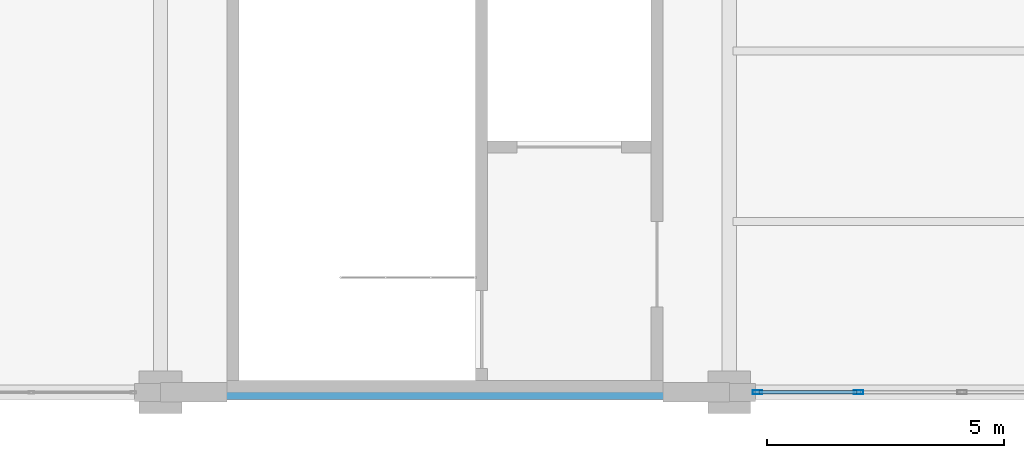
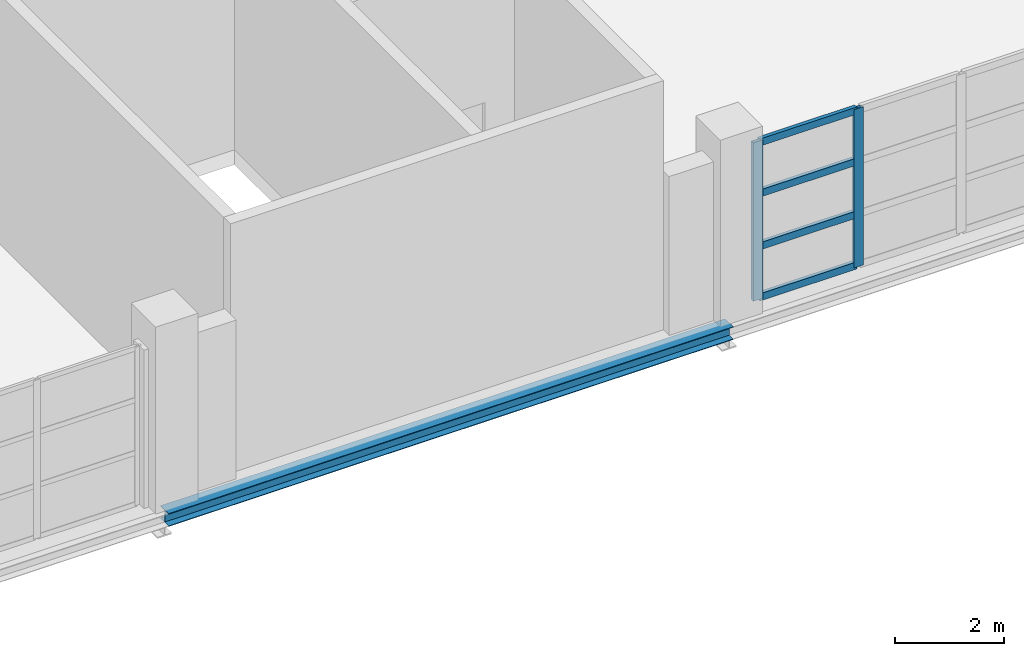
# One storey, part 79 of 158: 6 members, 1 beam, 1 element without a shape of its own.
"""IFC4 building model written with IfcOpenShell, lengths in metres."""

import ifcopenshell
import ifcopenshell.guid

model = None  # the IFC model being written
_history = None  # IfcOwnerHistory: only IFC2X3 demands one
_inside = {}  # id of a spatial element -> (the spatial element, [elements in it])
_under = {}  # id of a project, library or spatial element -> (it, [spatial elements below it])
_declared = {}  # id of a project -> (the project, [libraries it declares])
_typed = {}  # id of a type object -> (the type object, [elements of that type])
_made_of = {}  # id of a material, layer set ... -> (it, [elements and type objects made of it])


def new_model(schema):
    """Start an empty IFC model of exactly this schema.

    Asked for "IFC4X3", IfcOpenShell would pick the latest addendum, in which some entities
    have other attributes; the version numbers below select the first issue.
    IFC2X3 requires an IfcOwnerHistory on every rooted entity: one is made here for all.
    """
    global model, _history
    if schema == "IFC4X3":
        model = ifcopenshell.file(schema_version=(4, 3, 0, 0))
    else:
        model = ifcopenshell.file(schema=schema)
    _inside.clear()
    _under.clear()
    _declared.clear()
    _typed.clear()
    _made_of.clear()
    _history = None
    if model.schema == "IFC2X3":
        org = make("IfcOrganization", Name="unknown")
        user = make(
            "IfcPersonAndOrganization",
            ThePerson=make("IfcPerson", FamilyName="unknown"),
            TheOrganization=org,
        )
        app = make(
            "IfcApplication",
            ApplicationDeveloper=org,
            Version="unknown",
            ApplicationFullName="unknown",
            ApplicationIdentifier="unknown",
        )
        _history = make(
            "IfcOwnerHistory",
            OwningUser=user,
            OwningApplication=app,
            ChangeAction="ADDED",
            CreationDate=0,
        )
    return model


def make(cls, **values):
    """One entity of the class cls with the attributes given. An attribute that is None is left unset."""
    return model.create_entity(
        cls, **{name: value for name, value in values.items() if value is not None}
    )


def rooted(cls, **values):
    """An entity with a GlobalId (a new one), such as an element, a storey or a relation."""
    return make(cls, GlobalId=ifcopenshell.guid.new(), OwnerHistory=_history, **values)


def si_unit(unit_type, name, prefix=None):
    """IfcSIUnit, for example si_unit("LENGTHUNIT", "METRE", prefix="MILLI")."""
    return make("IfcSIUnit", UnitType=unit_type, Prefix=prefix, Name=name)


def assignment(units):
    """IfcUnitAssignment: the units of a project."""
    return None if units is None else make("IfcUnitAssignment", Units=units)


def point(xyz):
    """IfcCartesianPoint."""
    return None if xyz is None else make("IfcCartesianPoint", Coordinates=xyz)


def direction(xyz):
    """IfcDirection."""
    return None if xyz is None else make("IfcDirection", DirectionRatios=xyz)


def frame(location, z_axis=None, x_axis=None):
    """IfcAxis2Placement3D, a coordinate frame: its origin and axes. An axis left out is left unset."""
    return make(
        "IfcAxis2Placement3D",
        Location=point(location),
        Axis=direction(z_axis),
        RefDirection=direction(x_axis),
    )


def frame_2d(location, x_axis=None):
    """IfcAxis2Placement2D, a coordinate frame in the plane: its origin and x axis."""
    return make(
        "IfcAxis2Placement2D", Location=point(location), RefDirection=direction(x_axis)
    )


def origin():
    """The frame at (0, 0, 0) with its axes left unset."""
    return frame((0.0, 0.0, 0.0))


def origin_2d():
    """The frame at (0, 0) in the plane with its x axis left unset."""
    return frame_2d((0.0, 0.0))


def place(relative_to, where):
    """IfcLocalPlacement: puts the frame where relative to a parent placement (None: the world)."""
    return make(
        "IfcLocalPlacement", PlacementRelTo=relative_to, RelativePlacement=where
    )


def context(
    kind, dimensions, precision=None, world=None, true_north=None, identifier=None
):
    """IfcGeometricRepresentationContext, for example the 3D "Model" context."""
    return make(
        "IfcGeometricRepresentationContext",
        ContextIdentifier=identifier,
        ContextType=kind,
        CoordinateSpaceDimension=dimensions,
        Precision=precision,
        WorldCoordinateSystem=world,
        TrueNorth=true_north,
    )


def subcontext(parent, identifier, kind, view, scale=None):
    """IfcGeometricRepresentationSubContext, for example "Body" below "Model"."""
    return make(
        "IfcGeometricRepresentationSubContext",
        ContextIdentifier=identifier,
        ContextType=kind,
        ParentContext=parent,
        TargetScale=scale,
        TargetView=view,
    )


def project(units=None, contexts=None):
    """IfcProject with its units and contexts."""
    return rooted(
        "IfcProject",
        Name="project",
        RepresentationContexts=contexts,
        UnitsInContext=assignment(units),
    )


def spatial(cls, under=None, at=None, **own):
    """A site, building, storey or space (cls), placed at a placement, below another one or the project."""
    s = rooted(cls, ObjectPlacement=at, **own)
    if under is not None:
        _under.setdefault(under.id(), (under, []))[1].append(s)
    return s


def profile(cls, at=None, kind="AREA", **sizes):
    """A parametric profile (cls). Its sizes go by their IFC names, for example OverallWidth=200.0."""
    return make(cls, ProfileType=kind, Position=at, **sizes)


def hollow_rectangle(**sizes):
    """IfcRectangleHollowProfileDef."""
    return profile("IfcRectangleHollowProfileDef", **sizes)


def i_section(**sizes):
    """IfcIShapeProfileDef."""
    return profile("IfcIShapeProfileDef", **sizes)


def extrude(swept, where, along, depth):
    """IfcExtrudedAreaSolid: the profile swept, set in the frame where, extruded along a direction by depth."""
    return make(
        "IfcExtrudedAreaSolid",
        SweptArea=swept,
        Position=where,
        ExtrudedDirection=direction(along),
        Depth=depth,
    )


def shape(context_of_items, identifier, shape_type, items):
    """IfcShapeRepresentation: the items that make up one representation, for example the "Body"."""
    return make(
        "IfcShapeRepresentation",
        ContextOfItems=context_of_items,
        RepresentationIdentifier=identifier,
        RepresentationType=shape_type,
        Items=items,
    )


def material(Name=None, Category=None):
    """IfcMaterial."""
    return make("IfcMaterial", Name=Name, Category=Category)


def layer(
    of_material, thickness, ventilated=None, Name=None, Category=None, Priority=None
):
    """IfcMaterialLayer: one layer of a wall or slab, of a material (None: an air gap)."""
    return make(
        "IfcMaterialLayer",
        Material=of_material,
        LayerThickness=thickness,
        IsVentilated=ventilated,
        Name=Name,
        Category=Category,
        Priority=Priority,
    )


def layer_set(layers, Name=None):
    """IfcMaterialLayerSet."""
    return make("IfcMaterialLayerSet", MaterialLayers=layers, LayerSetName=Name)


def material_profile(
    of_material, cross_section, Name=None, Category=None, Priority=None
):
    """IfcMaterialProfile: a cross section and its material."""
    return make(
        "IfcMaterialProfile",
        Name=Name,
        Material=of_material,
        Profile=cross_section,
        Priority=Priority,
        Category=Category,
    )


def profile_set(profiles, Name=None, composite=None):
    """IfcMaterialProfileSet."""
    return make(
        "IfcMaterialProfileSet",
        Name=Name,
        MaterialProfiles=profiles,
        CompositeProfile=composite,
    )


def made_of(thing, what):
    """Note that an element or type object is made of a material, layer set ...; save() writes the relation."""
    if what is not None:
        _made_of.setdefault(what.id(), (what, []))[1].append(thing)
    return thing


def type_object(cls, material=None, **own):
    """A type object (cls), such as IfcWallType, which elements share."""
    return made_of(rooted(cls, **own), material)


def element(
    cls,
    number,
    at=None,
    inside=None,
    cuts=None,
    type_object=None,
    material=None,
    context=None,
    identifier="Body",
    shape_type=None,
    held_by="IfcProductDefinitionShape",
    body=None,
    shapes=None,
    **own,
):
    """One element of the class cls, such as IfcWall. Its Tag is "e" and its number.

    at: its placement. inside: the storey or other place that contains it. cuts: it is an
    opening in that element (IfcRelVoidsElement). A single representation is given by context,
    identifier, shape_type and body (its items); several are given by shapes. held_by: the class
    of the entity that holds the representations. save() writes the other relations.
    """
    e = rooted(cls, Tag="e%d" % number, ObjectPlacement=at, **own)
    if body is not None:
        shapes = [shape(context, identifier, shape_type, body)]
    if shapes is not None:
        e.Representation = make(held_by, Representations=shapes)
    if inside is not None:
        _inside.setdefault(inside.id(), (inside, []))[1].append(e)
    if cuts is not None:
        rooted(
            "IfcRelVoidsElement", RelatingBuildingElement=cuts, RelatedOpeningElement=e
        )
    if type_object is not None:
        _typed.setdefault(type_object.id(), (type_object, []))[1].append(e)
    return made_of(e, material)


def aggregate(whole, parts):
    """IfcRelAggregates: a whole, such as a stair, and the parts it consists of."""
    return rooted("IfcRelAggregates", RelatingObject=whole, RelatedObjects=parts)


def save(model, path):
    """Write the relations noted so far, then the file.

    IfcRelAggregates (storeys below a building ...), IfcRelContainedInSpatialStructure (elements
    in a storey), IfcRelDefinesByType, IfcRelAssociatesMaterial and IfcRelDeclares: one each for
    every whole, place, type object, material and project.
    """
    for whole, parts in _under.values():
        aggregate(whole, parts)
    for where, things in _inside.values():
        rooted(
            "IfcRelContainedInSpatialStructure",
            RelatedElements=things,
            RelatingStructure=where,
        )
    for kind, things in _typed.values():
        rooted("IfcRelDefinesByType", RelatedObjects=things, RelatingType=kind)
    for what, things in _made_of.values():
        rooted("IfcRelAssociatesMaterial", RelatedObjects=things, RelatingMaterial=what)
    for by, libraries in _declared.values():
        rooted("IfcRelDeclares", RelatingContext=by, RelatedDefinitions=libraries)
    model.write(path)


model = new_model("IFC4")

# Units and contexts
model_context = context("Model", 3, precision=1e-05, world=origin(), true_north=direction((0.0, 1.0)))
body_context = subcontext(model_context, "Body", "Model", "MODEL_VIEW")
ifc_project = project(units=[si_unit("LENGTHUNIT", "METRE"), si_unit("AREAUNIT", "SQUARE_METRE"), si_unit("VOLUMEUNIT", "CUBIC_METRE"), si_unit("PLANEANGLEUNIT", "RADIAN"), si_unit("MASSUNIT", "GRAM", prefix="KILO")], contexts=[model_context])

# Site, building, storey
site_placement = place(None, origin())
site = spatial("IfcSite", under=ifc_project, at=site_placement, CompositionType="ELEMENT")
building_placement = place(site_placement, origin())
building = spatial("IfcBuilding", under=site, at=building_placement, Name="Zilviju Railside Exhibition Hall", CompositionType="ELEMENT")
storey_placement = place(building_placement, frame((0.0, 0.0, 4.199951171875)))
storey = spatial("IfcBuildingStorey", under=building, at=storey_placement, Name="L02", CompositionType="ELEMENT", Elevation=4.199951171875)

# Beam
ifc_material_1 = material(Name="Steel S355J2", Category="steel")
ifc_material_profile_1 = material_profile(ifc_material_1, i_section(OverallWidth=0.300048828125, OverallDepth=0.2900390625, WebThickness=0.008544921875, FlangeThickness=0.013916015625, at=origin_2d()), Name="HEA 300")
ifc_profile_set_1 = profile_set([ifc_material_profile_1], Name="Steel S355J2")
beam_type = type_object("IfcBeamType", Name="BM-HEA300", PredefinedType="SPANDREL", material=ifc_profile_set_1)
beam_placement = place(storey_placement, frame((192.0, 0.0, -0.474853515625), z_axis=(1.0, 0.0, 0.0), x_axis=(0.0, 1.0, 0.0)))
element("IfcBeam", 1, at=beam_placement, inside=storey, type_object=beam_type, Name="Primary Girder L02 Y=0.0 (192.0..204.0)", PredefinedType="SPANDREL", context=body_context, shape_type="SweptSolid", body=[
    extrude(i_section(OverallWidth=0.300048828125, OverallDepth=0.2900390625, WebThickness=0.008544921875, FlangeThickness=0.013916015625, at=origin_2d()), origin(), (0.0, 0.0, 1.0), 12.0),
])

# Curtain wall, members
ifc_material_2 = material(Name="Thermally broken aluminium-steel triple-glazed curtain wall", Category="steel")
ifc_layer = layer(ifc_material_2, 0.179931640625)
ifc_layer_set = layer_set([ifc_layer], Name="Thermally broken aluminium-steel triple-glazed curtain wall")
curtain_wall_type = type_object("IfcCurtainWallType", Name="CW-BAY-16", PredefinedType="USERDEFINED", material=ifc_layer_set)
curtain_wall_placement = place(storey_placement, origin())
curtain_wall = element("IfcCurtainWall", 2, at=curtain_wall_placement, inside=storey, type_object=curtain_wall_type, Name="South Hall Facade Curtain Wall L02 (204..216)", ObjectType="GLAZED CURTAIN WALL", PredefinedType="USERDEFINED")
ifc_material_3 = material(Name="Thermally broken anodized aluminium mullion", Category="aluminium")
ifc_material_profile_2 = material_profile(ifc_material_3, hollow_rectangle(XDim=0.080078125, YDim=0.199951171875, WallThickness=0.0048828125, at=origin_2d()), Name="MULLION 200x80x5")
ifc_profile_set_2 = profile_set([ifc_material_profile_2], Name="Thermally broken anodized aluminium mullion")
member_type_1 = type_object("IfcMemberType", Name="CWM-80x200", PredefinedType="MULLION", material=ifc_profile_set_2)
member_1_placement = place(storey_placement, frame((206.72998046875, 0.0, 0.0), z_axis=(0.0, 0.0, 1.0), x_axis=(0.0, -1.0, 0.0)))
member_1 = element("IfcMember", 3, at=member_1_placement, type_object=member_type_1, Name="CW-16 mullion 5", PredefinedType="MULLION", context=body_context, shape_type="SweptSolid", body=[
    extrude(hollow_rectangle(XDim=0.080078125, YDim=0.199951171875, WallThickness=0.0048828125, at=origin_2d()), origin(), (0.0, 0.0, 1.0), 3.56005859375),
])
member_2_placement = place(storey_placement, frame((204.590087890625, 0.0, 0.0), z_axis=(0.0, 0.0, 1.0), x_axis=(0.0, -1.0, 0.0)))
member_2 = element("IfcMember", 4, at=member_2_placement, type_object=member_type_1, Name="CW-16 mullion 6", PredefinedType="MULLION", context=body_context, shape_type="SweptSolid", body=[
    extrude(hollow_rectangle(XDim=0.080078125, YDim=0.199951171875, WallThickness=0.0048828125, at=origin_2d()), origin(), (0.0, 0.0, 1.0), 3.56005859375),
])
ifc_material_4 = material(Name="Thermally broken anodized aluminium transom", Category="aluminium")
ifc_material_profile_3 = material_profile(ifc_material_4, hollow_rectangle(XDim=0.080078125, YDim=0.159912109375, WallThickness=0.0048828125, at=origin_2d()), Name="TRANSOM 160x80x5")
ifc_profile_set_3 = profile_set([ifc_material_profile_3], Name="Thermally broken anodized aluminium transom")
member_type_2 = type_object("IfcMemberType", Name="CWT-80x160", PredefinedType="USERDEFINED", material=ifc_profile_set_3)
member_3_placement = place(storey_placement, frame((206.68994140625, 0.0, 0.0400390625), z_axis=(-1.0, 0.0, 0.0), x_axis=(0.0, -1.0, 0.0)))
member_3 = element("IfcMember", 5, at=member_3_placement, type_object=member_type_2, Name="CW-16 transom 5.1", ObjectType="TRANSOM", PredefinedType="USERDEFINED", context=body_context, shape_type="SweptSolid", body=[
    extrude(hollow_rectangle(XDim=0.080078125, YDim=0.159912109375, WallThickness=0.0048828125, at=origin_2d()), origin(), (0.0, 0.0, 1.0), 2.06005859375),
])
member_4_placement = place(storey_placement, frame((206.68994140625, 0.0, 1.18701171875), z_axis=(-1.0, 0.0, 0.0), x_axis=(0.0, -1.0, 0.0)))
member_4 = element("IfcMember", 6, at=member_4_placement, type_object=member_type_2, Name="CW-16 transom 5.2", ObjectType="TRANSOM", PredefinedType="USERDEFINED", context=body_context, shape_type="SweptSolid", body=[
    extrude(hollow_rectangle(XDim=0.080078125, YDim=0.159912109375, WallThickness=0.0048828125, at=origin_2d()), origin(), (0.0, 0.0, 1.0), 2.06005859375),
])
member_5_placement = place(storey_placement, frame((206.68994140625, 0.0, 2.373046875), z_axis=(-1.0, 0.0, 0.0), x_axis=(0.0, -1.0, 0.0)))
member_5 = element("IfcMember", 7, at=member_5_placement, type_object=member_type_2, Name="CW-16 transom 5.3", ObjectType="TRANSOM", PredefinedType="USERDEFINED", context=body_context, shape_type="SweptSolid", body=[
    extrude(hollow_rectangle(XDim=0.080078125, YDim=0.159912109375, WallThickness=0.0048828125, at=origin_2d()), origin(), (0.0, 0.0, 1.0), 2.06005859375),
])
member_6_placement = place(storey_placement, frame((206.68994140625, 0.0, 3.52001953125), z_axis=(-1.0, 0.0, 0.0), x_axis=(0.0, -1.0, 0.0)))
member_6 = element("IfcMember", 8, at=member_6_placement, type_object=member_type_2, Name="CW-16 transom 5.4", ObjectType="TRANSOM", PredefinedType="USERDEFINED", context=body_context, shape_type="SweptSolid", body=[
    extrude(hollow_rectangle(XDim=0.080078125, YDim=0.159912109375, WallThickness=0.0048828125, at=origin_2d()), origin(), (0.0, 0.0, 1.0), 2.06005859375),
])
aggregate(curtain_wall, [member_1, member_2, member_3, member_4, member_5, member_6])

save(model, "model.ifc")
